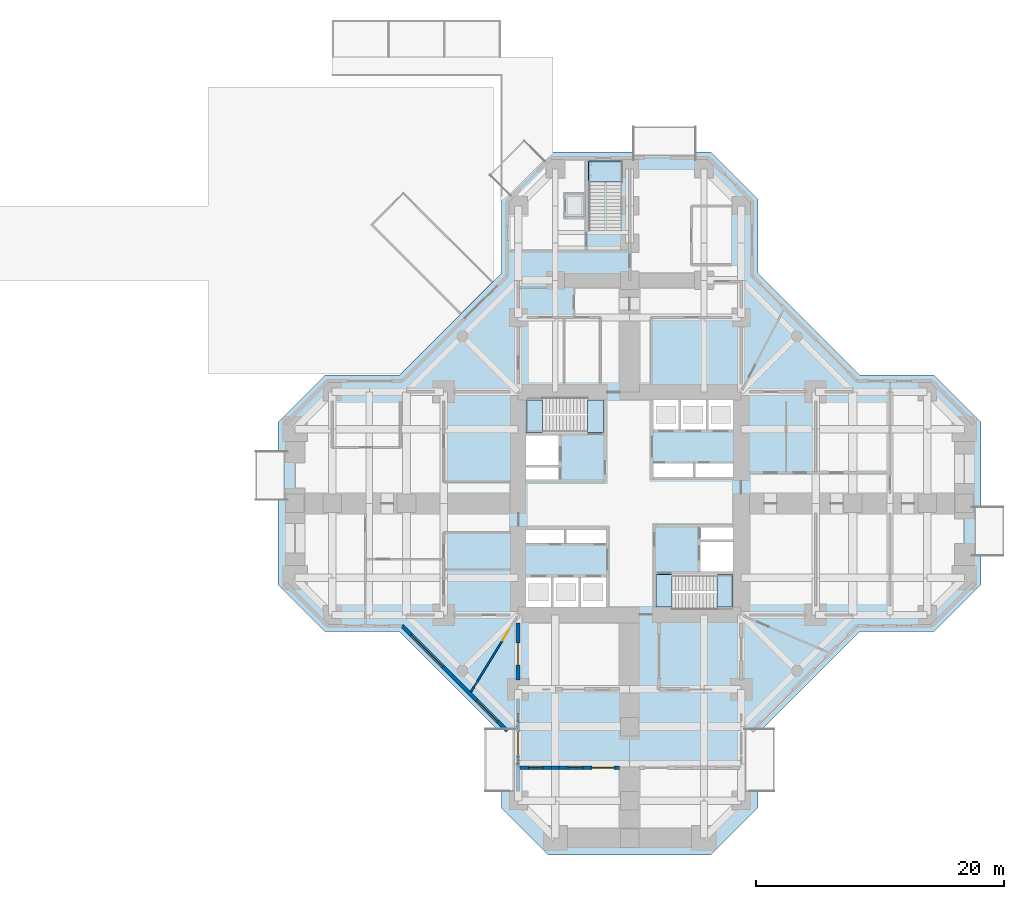
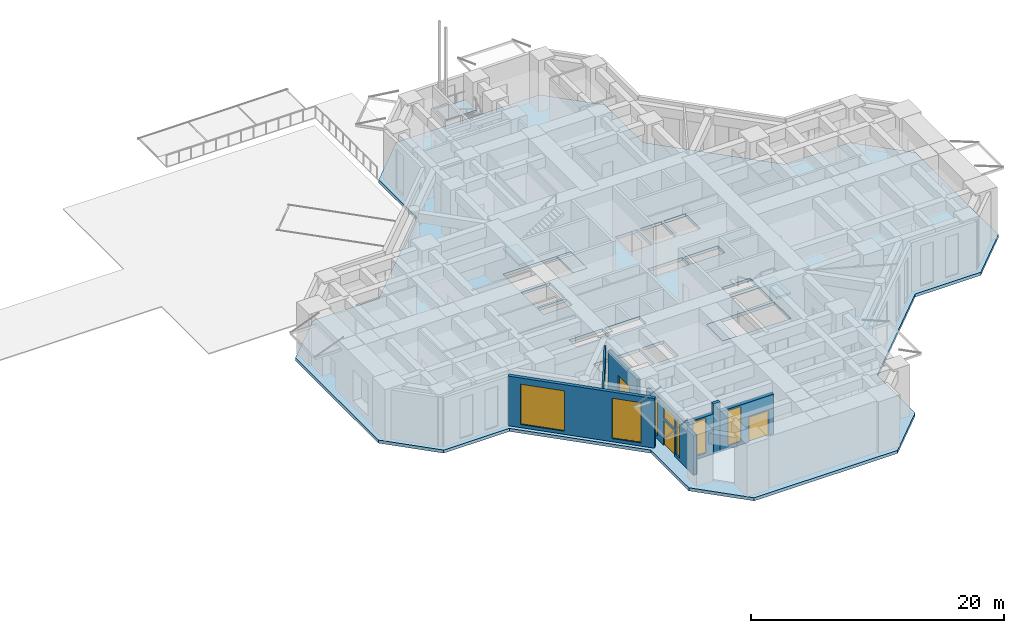
# One storey, part 4 of 14: 7 walls, 7 windows, 6 slabs, 4 doors, 11 openings, 3 elements without a shape of their own.
"""IFC4 building model written with IfcOpenShell, lengths in metres."""

from ifc_helpers import new_model, si_unit, direction, frame, frame_2d, origin, place, context, subcontext, project, spatial, polyline, rectangle, hollow_rectangle, outline, extrude, material, layer, layer_set, constituent, constituent_set, type_object, element, fill, aggregate, save


model = new_model("IFC4")

# Units and contexts
model_context = context("Model", 3, precision=1e-05, world=origin(), true_north=direction((0.0, 1.0)))
body_context = subcontext(model_context, "Body", "Model", "MODEL_VIEW")
ifc_project = project(units=[si_unit("LENGTHUNIT", "METRE"), si_unit("AREAUNIT", "SQUARE_METRE"), si_unit("VOLUMEUNIT", "CUBIC_METRE"), si_unit("PLANEANGLEUNIT", "RADIAN"), si_unit("MASSUNIT", "GRAM", prefix="KILO")], contexts=[model_context])

# Site, building, storey
site_placement = place(None, origin())
site = spatial("IfcSite", under=ifc_project, at=site_placement, CompositionType="ELEMENT")
building_placement = place(site_placement, origin())
building = spatial("IfcBuilding", under=site, at=building_placement, Name="Torre Cruceta", CompositionType="ELEMENT")
storey_placement = place(building_placement, origin())
storey = spatial("IfcBuildingStorey", under=building, at=storey_placement, Name="L00", CompositionType="ELEMENT", Elevation=0.0)

# Slab
ifc_material_1 = material(Name="Concrete G35 (fck 35 MPa)", Category="concrete")
ifc_layer_1 = layer(ifc_material_1, 0.300048828125)
ifc_layer_set_1 = layer_set([ifc_layer_1], Name="Concrete G35 (fck 35 MPa)")
slab_type_1 = type_object("IfcSlabType", Name="FLOOR SLAB 300", PredefinedType="FLOOR", material=ifc_layer_set_1)
slab_1_placement = place(storey_placement, frame((0.0, 0.0, -0.300048828125)))
element("IfcSlab", 1, at=slab_1_placement, inside=storey, type_object=slab_type_1, Name="Floor Slab L00", PredefinedType="FLOOR", context=body_context, shape_type="SweptSolid", body=[
    extrude(outline(polyline([(18.55908203125, -10.35009765625), (10.35009765625, -18.55908203125), (10.35009765625, -24.55908203125), (6.55908203125, -28.35009765625), (-6.55908203125, -28.35009765625), (-10.35009765625, -24.55908203125), (-10.35009765625, -18.55908203125), (-18.55908203125, -10.35009765625), (-24.55908203125, -10.35009765625), (-28.35009765625, -6.55908203125), (-28.35009765625, 6.55908203125), (-24.55908203125, 10.35009765625), (-18.55908203125, 10.35009765625), (-10.35009765625, 18.55908203125), (-10.35009765625, 24.55908203125), (-6.55908203125, 28.35009765625), (6.55908203125, 28.35009765625), (10.35009765625, 24.55908203125), (10.35009765625, 18.55908203125), (18.55908203125, 10.35009765625), (24.55908203125, 10.35009765625), (28.35009765625, 6.55908203125), (28.35009765625, -6.55908203125), (24.55908203125, -10.35009765625), (18.55908203125, -10.35009765625)]), holes=[polyline([(1.925048828125, 5.97509765625), (3.933349609375, 5.97509765625), (3.933349609375, 8.35009765625), (1.925048828125, 8.35009765625), (1.925048828125, 5.97509765625)]), polyline([(4.13330078125, 5.97509765625), (6.1416015625, 5.97509765625), (6.1416015625, 8.35009765625), (4.13330078125, 8.35009765625), (4.13330078125, 5.97509765625)]), polyline([(6.341552734375, 5.97509765625), (8.35009765625, 5.97509765625), (8.35009765625, 8.35009765625), (6.341552734375, 8.35009765625), (6.341552734375, 5.97509765625)]), polyline([(1.925048828125, 2.125), (5.125, 2.125), (5.125, 3.22509765625), (1.925048828125, 3.22509765625), (1.925048828125, 2.125)]), polyline([(5.27490234375, 2.125), (8.35009765625, 2.125), (8.35009765625, 3.22509765625), (5.27490234375, 3.22509765625), (5.27490234375, 2.125)]), polyline([(-8.35009765625, 3.10009765625), (-5.72509765625, 3.10009765625), (-5.72509765625, 5.47509765625), (-8.35009765625, 5.47509765625), (-8.35009765625, 3.10009765625)]), polyline([(-8.35009765625, 1.925048828125), (-5.72509765625, 1.925048828125), (-5.72509765625, 2.89990234375), (-8.35009765625, 2.89990234375), (-8.35009765625, 1.925048828125)]), polyline([(-3.933349609375, -8.35009765625), (-1.925048828125, -8.35009765625), (-1.925048828125, -5.97509765625), (-3.933349609375, -5.97509765625), (-3.933349609375, -8.35009765625)]), polyline([(-6.1416015625, -8.35009765625), (-4.13330078125, -8.35009765625), (-4.13330078125, -5.97509765625), (-6.1416015625, -5.97509765625), (-6.1416015625, -8.35009765625)]), polyline([(-8.35009765625, -8.35009765625), (-6.341552734375, -8.35009765625), (-6.341552734375, -5.97509765625), (-8.35009765625, -5.97509765625), (-8.35009765625, -8.35009765625)]), polyline([(-5.125, -3.22509765625), (-1.925048828125, -3.22509765625), (-1.925048828125, -2.125), (-5.125, -2.125), (-5.125, -3.22509765625)]), polyline([(-8.35009765625, -3.22509765625), (-5.27490234375, -3.22509765625), (-5.27490234375, -2.125), (-8.35009765625, -2.125), (-8.35009765625, -3.22509765625)]), polyline([(5.72509765625, -5.47509765625), (8.35009765625, -5.47509765625), (8.35009765625, -3.10009765625), (5.72509765625, -3.10009765625), (5.72509765625, -5.47509765625)]), polyline([(5.72509765625, -2.89990234375), (8.35009765625, -2.89990234375), (8.35009765625, -1.925048828125), (5.72509765625, -1.925048828125), (5.72509765625, -2.89990234375)]), polyline([(-8.35009765625, 5.72509765625), (-8.35009765625, 8.35009765625), (-3.39990234375, 8.35009765625), (-2.125, 8.35009765625), (-2.125, 5.72509765625), (-3.39990234375, 5.72509765625), (-8.35009765625, 5.72509765625)]), polyline([(2.125, -5.72509765625), (3.39990234375, -5.72509765625), (8.35009765625, -5.72509765625), (8.35009765625, -8.35009765625), (3.39990234375, -8.35009765625), (2.125, -8.35009765625), (2.125, -5.72509765625)])]), origin(), (0.0, 0.0, 1.0), 0.300048828125),
])

# Stair, slab
ifc_material_2 = material(Name="Concrete G30 (fck 30 MPa)", Category="concrete")
stair_type = type_object("IfcStairType", Name="STAIR HALF-TURN 1300", PredefinedType="HALF_TURN_STAIR", material=ifc_material_2)
stair_1_placement = place(storey_placement, origin())
stair_1 = element("IfcStair", 2, at=stair_1_placement, inside=storey, type_object=stair_type, Name="Stair ST1 L00", PredefinedType="HALF_TURN_STAIR")
ifc_material_3 = material(Name="Concrete G30 (fck 30 MPa)", Category="concrete")
ifc_layer_2 = layer(ifc_material_3, 0.199951171875)
ifc_layer_set_2 = layer_set([ifc_layer_2], Name="Concrete G30 (fck 30 MPa)")
slab_type_2 = type_object("IfcSlabType", Name="STAIR LANDING 200", PredefinedType="LANDING", material=ifc_layer_set_2)
slab_2_placement = place(storey_placement, frame((0.0, 0.0, 2.300048828125)))
slab_2 = element("IfcSlab", 3, at=slab_2_placement, type_object=slab_type_2, Name="ST1 landing 1", PredefinedType="LANDING", context=body_context, shape_type="SweptSolid", body=[
    extrude(outline(polyline([(-8.35009765625, 5.72509765625), (-7.0400390625, 5.72509765625), (-7.0400390625, 8.35009765625), (-8.35009765625, 8.35009765625), (-8.35009765625, 5.72509765625)])), origin(), (0.0, 0.0, 1.0), 0.199951171875),
])
aggregate(stair_1, [slab_2])

stair_2_placement = place(storey_placement, origin())
stair_2 = element("IfcStair", 4, at=stair_2_placement, inside=storey, type_object=stair_type, Name="Stair ST2 L00", PredefinedType="HALF_TURN_STAIR")
slab_3_placement = place(storey_placement, frame((0.0, 0.0, 2.300048828125)))
slab_3 = element("IfcSlab", 5, at=slab_3_placement, type_object=slab_type_2, Name="ST2 landing 1", PredefinedType="LANDING", context=body_context, shape_type="SweptSolid", body=[
    extrude(outline(polyline([(7.0400390625, -8.35009765625), (8.35009765625, -8.35009765625), (8.35009765625, -5.72509765625), (7.0400390625, -5.72509765625), (7.0400390625, -8.35009765625)])), origin(), (0.0, 0.0, 1.0), 0.199951171875),
])
aggregate(stair_2, [slab_3])

# Slabs
slab_4_placement = place(storey_placement, frame((0.0, 0.0, -0.199951171875)))
element("IfcSlab", 6, at=slab_4_placement, inside=storey, type_object=slab_type_2, Name="Stair ST1 floor landing L00", PredefinedType="LANDING", context=body_context, shape_type="SweptSolid", body=[
    extrude(outline(polyline([(-2.125, 8.35009765625), (-2.125, 5.72509765625), (-3.39990234375, 5.72509765625), (-3.39990234375, 8.35009765625), (-2.125, 8.35009765625)])), origin(), (0.0, 0.0, 1.0), 0.199951171875),
])
slab_5_placement = place(storey_placement, frame((0.0, 0.0, -0.199951171875)))
element("IfcSlab", 7, at=slab_5_placement, inside=storey, type_object=slab_type_2, Name="Stair ST2 floor landing L00", PredefinedType="LANDING", context=body_context, shape_type="SweptSolid", body=[
    extrude(outline(polyline([(2.125, -8.35009765625), (2.125, -5.72509765625), (3.39990234375, -5.72509765625), (3.39990234375, -8.35009765625), (2.125, -8.35009765625)])), origin(), (0.0, 0.0, 1.0), 0.199951171875),
])

# Stair, slab
stair_3_placement = place(storey_placement, origin())
stair_3 = element("IfcStair", 8, at=stair_3_placement, inside=storey, type_object=stair_type, Name="Stair ST3 L00", PredefinedType="HALF_TURN_STAIR")
slab_6_placement = place(storey_placement, frame((0.0, 0.0, 2.300048828125)))
slab_6 = element("IfcSlab", 9, at=slab_6_placement, type_object=slab_type_2, Name="ST3 landing 1", PredefinedType="LANDING", context=body_context, shape_type="SweptSolid", body=[
    extrude(outline(polyline([(-0.60009765625, 25.919921875), (-0.60009765625, 27.6201171875), (-3.300048828125, 27.6201171875), (-3.300048828125, 25.919921875), (-0.60009765625, 25.919921875)])), origin(), (0.0, 0.0, 1.0), 0.199951171875),
])
aggregate(stair_3, [slab_6])

# Wall, opening, window
ifc_material_4 = material(Name="Concrete G30 (fck 30 MPa)", Category="concrete")
ifc_layer_3 = layer(ifc_material_4, 0.300048828125)
ifc_layer_set_3 = layer_set([ifc_layer_3], Name="Concrete G30 (fck 30 MPa)")
wall_type_1 = type_object("IfcWallType", Name="CONCOURSE FRONT WALL 300", PredefinedType="SOLIDWALL", material=ifc_layer_set_3)
wall_1_placement = place(storey_placement, frame((-8.85009765625, -21.320068359375, 0.0), z_axis=(0.0, 0.0, 1.0), x_axis=(1.0, 0.0, 0.0)))
wall_1 = element("IfcWall", 10, at=wall_1_placement, inside=storey, type_object=wall_type_1, Name="EW3 L00-S-TWR", PredefinedType="SOLIDWALL", context=body_context, shape_type="SweptSolid", body=[
    extrude(rectangle(XDim=2.550048828125, YDim=0.300048828125, at=frame_2d((1.27490234375, 0.0))), origin(), (0.0, 0.0, 1.0), 3.85009765625),
])
opening_1_placement = place(wall_1_placement, frame((0.675048828125, 0.0, 0.300048828125)))
opening_1 = element("IfcOpeningElement", 11, at=opening_1_placement, cuts=wall_1, Name="Opening SF6", PredefinedType="OPENING", context=body_context, shape_type="SweptSolid", body=[
    extrude(rectangle(XDim=1.199951171875, YDim=3.39990234375, at=frame_2d((0.60009765625, 1.699951171875))), frame((0.0, 0.159912109375, 0.0), z_axis=(0.0, -1.0, 0.0), x_axis=(1.0, 0.0, 0.0)), (0.0, 0.0, 1.0), 0.320068359375),
])
ifc_material_5 = material(Name="Aluminium window frame", Category="aluminium")
ifc_constituent_1 = constituent(ifc_material_5, Name="Frame")
ifc_material_6 = material(Name="Laminated insulating glass unit, low-iron clear", Category="glass")
ifc_constituent_2 = constituent(ifc_material_6, Name="Glazing")
ifc_constituent_set_1 = constituent_set(constituents=[ifc_constituent_1, ifc_constituent_2], Name="Aluminium window")
window_type_1 = type_object("IfcWindowType", Name="SHOPFRONT WINDOW 1200X3400", PartitioningType="SINGLE_PANEL", PredefinedType="WINDOW", material=ifc_constituent_set_1)
window_1_placement = place(opening_1_placement, origin())
window_1 = element("IfcWindow", 12, at=window_1_placement, inside=storey, type_object=window_type_1, Name="SF6 L00 L00-S-TWR 1", OverallHeight=3.39990234375, OverallWidth=1.199951171875, PartitioningType="SINGLE_PANEL", PredefinedType="WINDOW", context=body_context, shape_type="SweptSolid", body=[
    extrude(hollow_rectangle(XDim=1.199951171875, YDim=3.39990234375, WallThickness=0.06005859375, at=frame_2d((0.60009765625, 1.699951171875))), frame((0.0, 0.030029296875, 0.0), z_axis=(0.0, -1.0, 0.0), x_axis=(1.0, 0.0, 0.0)), (0.0, 0.0, 1.0), 0.06005859375),
    extrude(rectangle(XDim=1.078857421875, YDim=3.27880859375, at=frame_2d((0.60009765625, 1.699951171875))), frame((0.0, 0.030029296875, 0.0), z_axis=(0.0, -1.0, 0.0), x_axis=(1.0, 0.0, 0.0)), (0.0, 0.0, 1.0), 0.06005859375),
])
fill(opening_1, window_1)

# Wall
wall_2_placement = place(storey_placement, frame((-6.300048828125, -21.320068359375, 0.0), z_axis=(0.0, 0.0, 1.0), x_axis=(1.0, 0.0, 0.0)))
element("IfcWall", 13, at=wall_2_placement, inside=storey, type_object=wall_type_1, Name="EW3 L00-S-TWR 2", PredefinedType="SOLIDWALL", context=body_context, shape_type="SweptSolid", body=[
    extrude(rectangle(XDim=0.60009765625, YDim=0.300048828125, at=frame_2d((0.300048828125, 0.0))), origin(), (0.0, 0.0, 1.0), 4.800048828125),
])

# Wall, openings, door, window
wall_3_placement = place(storey_placement, frame((-5.699951171875, -21.320068359375, 0.0), z_axis=(0.0, 0.0, 1.0), x_axis=(1.0, 0.0, 0.0)))
wall_3 = element("IfcWall", 14, at=wall_3_placement, inside=storey, type_object=wall_type_1, Name="EW3 L00-S-TWR 3", PredefinedType="SOLIDWALL", context=body_context, shape_type="SweptSolid", body=[
    extrude(rectangle(XDim=4.89990234375, YDim=0.300048828125, at=frame_2d((2.449951171875, 0.0))), origin(), (0.0, 0.0, 1.0), 3.85009765625),
])
opening_2_placement = place(wall_3_placement, frame((2.64990234375, 0.0, 0.0)))
opening_2 = element("IfcOpeningElement", 15, at=opening_2_placement, cuts=wall_3, Name="Opening D13", PredefinedType="OPENING", context=body_context, shape_type="SweptSolid", body=[
    extrude(rectangle(XDim=1.800048828125, YDim=2.39990234375, at=frame_2d((0.89990234375, 1.199951171875))), frame((0.0, 0.159912109375, 0.0), z_axis=(0.0, -1.0, 0.0), x_axis=(1.0, 0.0, 0.0)), (0.0, 0.0, 1.0), 0.320068359375),
])
opening_3_placement = place(wall_3_placement, frame((0.72509765625, 0.0, 0.300048828125)))
opening_3 = element("IfcOpeningElement", 16, at=opening_3_placement, cuts=wall_3, Name="Opening SF6", PredefinedType="OPENING", context=body_context, shape_type="SweptSolid", body=[
    extrude(rectangle(XDim=1.199951171875, YDim=3.39990234375, at=frame_2d((0.60009765625, 1.699951171875))), frame((0.0, 0.159912109375, 0.0), z_axis=(0.0, -1.0, 0.0), x_axis=(1.0, 0.0, 0.0)), (0.0, 0.0, 1.0), 0.320068359375),
])
ifc_material_7 = material(Name="Aluminium 6063-T6", Category="aluminium")
ifc_constituent_3 = constituent(ifc_material_7, Name="Frame")
ifc_material_8 = material(Name="Laminated safety glass", Category="glass")
ifc_constituent_4 = constituent(ifc_material_8, Name="Glazing")
ifc_constituent_set_2 = constituent_set(constituents=[ifc_constituent_3, ifc_constituent_4], Name="Aluminium glazed door")
door_type_1 = type_object("IfcDoorType", Name="CONCOURSE ENTRANCE DOOR 1800X2400", OperationType="DOUBLE_DOOR_DOUBLE_SWING", PredefinedType="DOOR", material=ifc_constituent_set_2)
door_1_placement = place(opening_2_placement, origin())
door_1 = element("IfcDoor", 17, at=door_1_placement, inside=storey, type_object=door_type_1, Name="D13 L00-S-TWR-D1", OperationType="DOUBLE_DOOR_DOUBLE_SWING", OverallHeight=2.39990234375, OverallWidth=1.800048828125, PredefinedType="DOOR", context=body_context, shape_type="SweptSolid", body=[
    extrude(hollow_rectangle(XDim=1.800048828125, YDim=2.39990234375, WallThickness=0.06005859375, at=frame_2d((0.89990234375, 1.199951171875))), frame((0.0, 0.02490234375, 0.0), z_axis=(0.0, -1.0, 0.0), x_axis=(1.0, 0.0, 0.0)), (0.0, 0.0, 1.0), 0.050048828125),
    extrude(rectangle(XDim=1.678955078125, YDim=2.27880859375, at=frame_2d((0.89990234375, 1.199951171875))), frame((0.0, 0.02490234375, 0.0), z_axis=(0.0, -1.0, 0.0), x_axis=(1.0, 0.0, 0.0)), (0.0, 0.0, 1.0), 0.050048828125),
])
fill(opening_2, door_1)
window_2_placement = place(opening_3_placement, origin())
window_2 = element("IfcWindow", 18, at=window_2_placement, inside=storey, type_object=window_type_1, Name="SF6 L00 L00-S-TWR-S3 1", OverallHeight=3.39990234375, OverallWidth=1.199951171875, PartitioningType="SINGLE_PANEL", PredefinedType="WINDOW", context=body_context, shape_type="SweptSolid", body=[
    extrude(hollow_rectangle(XDim=1.199951171875, YDim=3.39990234375, WallThickness=0.06005859375, at=frame_2d((0.60009765625, 1.699951171875))), frame((0.0, 0.030029296875, 0.0), z_axis=(0.0, -1.0, 0.0), x_axis=(1.0, 0.0, 0.0)), (0.0, 0.0, 1.0), 0.06005859375),
    extrude(rectangle(XDim=1.078857421875, YDim=3.27880859375, at=frame_2d((0.60009765625, 1.699951171875))), frame((0.0, 0.030029296875, 0.0), z_axis=(0.0, -1.0, 0.0), x_axis=(1.0, 0.0, 0.0)), (0.0, 0.0, 1.0), 0.06005859375),
])
fill(opening_3, window_2)

# Wall, opening, door
wall_4_placement = place(storey_placement, frame((-9.0, -14.25, 0.0), z_axis=(0.0, 0.0, 1.0), x_axis=(0.0, 1.0, 0.0)))
wall_4 = element("IfcWall", 19, at=wall_4_placement, inside=storey, type_object=wall_type_1, Name="EW3 L00-WING-W-B1", PredefinedType="SOLIDWALL", context=body_context, shape_type="SweptSolid", body=[
    extrude(rectangle(XDim=4.60009765625, YDim=0.300048828125, at=frame_2d((2.300048828125, 0.0))), origin(), (0.0, 0.0, 1.0), 3.800048828125),
])
opening_4_placement = place(wall_4_placement, frame((1.199951171875, 0.0, 0.0)))
opening_4 = element("IfcOpeningElement", 20, at=opening_4_placement, cuts=wall_4, Name="Opening D13", PredefinedType="OPENING", context=body_context, shape_type="SweptSolid", body=[
    extrude(rectangle(XDim=1.800048828125, YDim=2.39990234375, at=frame_2d((0.89990234375, 1.199951171875))), frame((0.0, 0.159912109375, 0.0), z_axis=(0.0, -1.0, 0.0), x_axis=(1.0, 0.0, 0.0)), (0.0, 0.0, 1.0), 0.320068359375),
])
door_2_placement = place(opening_4_placement, origin())
door_2 = element("IfcDoor", 21, at=door_2_placement, inside=storey, type_object=door_type_1, Name="D13 L00-WING-W-B1-D1", OperationType="DOUBLE_DOOR_DOUBLE_SWING", OverallHeight=2.39990234375, OverallWidth=1.800048828125, PredefinedType="DOOR", context=body_context, shape_type="SweptSolid", body=[
    extrude(hollow_rectangle(XDim=1.800048828125, YDim=2.39990234375, WallThickness=0.06005859375, at=frame_2d((0.89990234375, 1.199951171875))), frame((0.0, 0.02490234375, 0.0), z_axis=(0.0, -1.0, 0.0), x_axis=(1.0, 0.0, 0.0)), (0.0, 0.0, 1.0), 0.050048828125),
    extrude(rectangle(XDim=1.678955078125, YDim=2.27880859375, at=frame_2d((0.89990234375, 1.199951171875))), frame((0.0, 0.02490234375, 0.0), z_axis=(0.0, -1.0, 0.0), x_axis=(1.0, 0.0, 0.0)), (0.0, 0.0, 1.0), 0.050048828125),
])
fill(opening_4, door_2)

# Wall, openings, door, windows
wall_5_placement = place(storey_placement, frame((-9.0, -23.25, 0.0), z_axis=(0.0, 0.0, 1.0), x_axis=(0.0, 1.0, 0.0)))
wall_5 = element("IfcWall", 22, at=wall_5_placement, inside=storey, type_object=wall_type_1, Name="EW3 L00-WING-W-B2", PredefinedType="SOLIDWALL", context=body_context, shape_type="SweptSolid", body=[
    extrude(rectangle(XDim=7.5, YDim=0.300048828125, at=frame_2d((3.75, 0.0))), origin(), (0.0, 0.0, 1.0), 3.800048828125),
])
opening_5_placement = place(wall_5_placement, frame((3.0, 0.0, 0.0)))
opening_5 = element("IfcOpeningElement", 23, at=opening_5_placement, cuts=wall_5, Name="Opening D13", PredefinedType="OPENING", context=body_context, shape_type="SweptSolid", body=[
    extrude(rectangle(XDim=1.800048828125, YDim=2.39990234375, at=frame_2d((0.89990234375, 1.199951171875))), frame((0.0, 0.159912109375, 0.0), z_axis=(0.0, -1.0, 0.0), x_axis=(1.0, 0.0, 0.0)), (0.0, 0.0, 1.0), 0.320068359375),
])
opening_6_placement = place(wall_5_placement, frame((2.239990234375, 0.0, 0.300048828125)))
opening_6 = element("IfcOpeningElement", 24, at=opening_6_placement, cuts=wall_5, Name="Opening SF4", PredefinedType="OPENING", context=body_context, shape_type="SweptSolid", body=[
    extrude(rectangle(XDim=0.60009765625, YDim=3.39990234375, at=frame_2d((0.300048828125, 1.699951171875))), frame((0.0, 0.159912109375, 0.0), z_axis=(0.0, -1.0, 0.0), x_axis=(1.0, 0.0, 0.0)), (0.0, 0.0, 1.0), 0.320068359375),
])
opening_7_placement = place(wall_5_placement, frame((5.6875, 0.0, 0.300048828125)))
opening_7 = element("IfcOpeningElement", 25, at=opening_7_placement, cuts=wall_5, Name="Opening SF4", PredefinedType="OPENING", context=body_context, shape_type="SweptSolid", body=[
    extrude(rectangle(XDim=0.60009765625, YDim=3.39990234375, at=frame_2d((0.300048828125, 1.699951171875))), frame((0.0, 0.159912109375, 0.0), z_axis=(0.0, -1.0, 0.0), x_axis=(1.0, 0.0, 0.0)), (0.0, 0.0, 1.0), 0.320068359375),
])
opening_8_placement = place(wall_5_placement, frame((3.0, 0.0, 2.60009765625)))
opening_8 = element("IfcOpeningElement", 26, at=opening_8_placement, cuts=wall_5, Name="Opening SF5", PredefinedType="OPENING", context=body_context, shape_type="SweptSolid", body=[
    extrude(rectangle(XDim=1.800048828125, YDim=1.10009765625, at=frame_2d((0.89990234375, 0.550048828125))), frame((0.0, 0.159912109375, 0.0), z_axis=(0.0, -1.0, 0.0), x_axis=(1.0, 0.0, 0.0)), (0.0, 0.0, 1.0), 0.320068359375),
])
door_3_placement = place(opening_5_placement, origin())
door_3 = element("IfcDoor", 27, at=door_3_placement, inside=storey, type_object=door_type_1, Name="D13 L00-WING-W-B2-D1", OperationType="DOUBLE_DOOR_DOUBLE_SWING", OverallHeight=2.39990234375, OverallWidth=1.800048828125, PredefinedType="DOOR", context=body_context, shape_type="SweptSolid", body=[
    extrude(hollow_rectangle(XDim=1.800048828125, YDim=2.39990234375, WallThickness=0.06005859375, at=frame_2d((0.89990234375, 1.199951171875))), frame((0.0, 0.02490234375, 0.0), z_axis=(0.0, -1.0, 0.0), x_axis=(1.0, 0.0, 0.0)), (0.0, 0.0, 1.0), 0.050048828125),
    extrude(rectangle(XDim=1.678955078125, YDim=2.27880859375, at=frame_2d((0.89990234375, 1.199951171875))), frame((0.0, 0.02490234375, 0.0), z_axis=(0.0, -1.0, 0.0), x_axis=(1.0, 0.0, 0.0)), (0.0, 0.0, 1.0), 0.050048828125),
])
fill(opening_5, door_3)
ifc_material_9 = material(Name="Aluminium window frame", Category="aluminium")
ifc_constituent_5 = constituent(ifc_material_9, Name="Frame")
ifc_material_10 = material(Name="Laminated insulating glass unit, low-iron clear", Category="glass")
ifc_constituent_6 = constituent(ifc_material_10, Name="Glazing")
ifc_constituent_set_3 = constituent_set(constituents=[ifc_constituent_5, ifc_constituent_6], Name="Aluminium window")
window_type_2 = type_object("IfcWindowType", Name="SHOPFRONT SIDELIGHT 600X3400", PartitioningType="SINGLE_PANEL", PredefinedType="WINDOW", material=ifc_constituent_set_3)
window_3_placement = place(opening_6_placement, origin())
window_3 = element("IfcWindow", 28, at=window_3_placement, inside=storey, type_object=window_type_2, Name="SF4 L00 L00-WING-W-B2 1", OverallHeight=3.39990234375, OverallWidth=0.60009765625, PartitioningType="SINGLE_PANEL", PredefinedType="WINDOW", context=body_context, shape_type="SweptSolid", body=[
    extrude(hollow_rectangle(XDim=0.60009765625, YDim=3.39990234375, WallThickness=0.06005859375, at=frame_2d((0.300048828125, 1.699951171875))), frame((0.0, 0.030029296875, 0.0), z_axis=(0.0, -1.0, 0.0), x_axis=(1.0, 0.0, 0.0)), (0.0, 0.0, 1.0), 0.06005859375),
    extrude(rectangle(XDim=0.47900390625, YDim=3.27880859375, at=frame_2d((0.300048828125, 1.699951171875))), frame((0.0, 0.030029296875, 0.0), z_axis=(0.0, -1.0, 0.0), x_axis=(1.0, 0.0, 0.0)), (0.0, 0.0, 1.0), 0.06005859375),
])
fill(opening_6, window_3)
window_4_placement = place(opening_7_placement, origin())
window_4 = element("IfcWindow", 29, at=window_4_placement, inside=storey, type_object=window_type_2, Name="SF4 L00 L00-WING-W-B2 2", OverallHeight=3.39990234375, OverallWidth=0.60009765625, PartitioningType="SINGLE_PANEL", PredefinedType="WINDOW", context=body_context, shape_type="SweptSolid", body=[
    extrude(hollow_rectangle(XDim=0.60009765625, YDim=3.39990234375, WallThickness=0.06005859375, at=frame_2d((0.300048828125, 1.699951171875))), frame((0.0, 0.030029296875, 0.0), z_axis=(0.0, -1.0, 0.0), x_axis=(1.0, 0.0, 0.0)), (0.0, 0.0, 1.0), 0.06005859375),
    extrude(rectangle(XDim=0.47900390625, YDim=3.27880859375, at=frame_2d((0.300048828125, 1.699951171875))), frame((0.0, 0.030029296875, 0.0), z_axis=(0.0, -1.0, 0.0), x_axis=(1.0, 0.0, 0.0)), (0.0, 0.0, 1.0), 0.06005859375),
])
fill(opening_7, window_4)
ifc_material_11 = material(Name="Aluminium window frame", Category="aluminium")
ifc_constituent_7 = constituent(ifc_material_11, Name="Frame")
ifc_material_12 = material(Name="Laminated insulating glass unit, low-iron clear", Category="glass")
ifc_constituent_8 = constituent(ifc_material_12, Name="Glazing")
ifc_constituent_set_4 = constituent_set(constituents=[ifc_constituent_7, ifc_constituent_8], Name="Aluminium window")
window_type_3 = type_object("IfcWindowType", Name="SHOPFRONT TRANSOM LIGHT 1800X1100", PartitioningType="SINGLE_PANEL", PredefinedType="WINDOW", material=ifc_constituent_set_4)
window_5_placement = place(opening_8_placement, origin())
window_5 = element("IfcWindow", 30, at=window_5_placement, inside=storey, type_object=window_type_3, Name="SF5 L00 L00-WING-W-B2 3", OverallHeight=1.10009765625, OverallWidth=1.800048828125, PartitioningType="SINGLE_PANEL", PredefinedType="WINDOW", context=body_context, shape_type="SweptSolid", body=[
    extrude(hollow_rectangle(XDim=1.800048828125, YDim=1.10009765625, WallThickness=0.06005859375, at=frame_2d((0.89990234375, 0.550048828125))), frame((0.0, 0.030029296875, 0.0), z_axis=(0.0, -1.0, 0.0), x_axis=(1.0, 0.0, 0.0)), (0.0, 0.0, 1.0), 0.06005859375),
    extrude(rectangle(XDim=1.678955078125, YDim=0.97900390625, at=frame_2d((0.89990234375, 0.550048828125))), frame((0.0, 0.030029296875, 0.0), z_axis=(0.0, -1.0, 0.0), x_axis=(1.0, 0.0, 0.0)), (0.0, 0.0, 1.0), 0.06005859375),
])
fill(opening_8, window_5)

# Wall, openings, windows
ifc_material_13 = material(Name="Concrete G30 (fck 30 MPa)", Category="concrete")
ifc_layer_4 = layer(ifc_material_13, 0.300048828125)
ifc_layer_set_4 = layer_set([ifc_layer_4], Name="Concrete G30 (fck 30 MPa)")
wall_type_2 = type_object("IfcWallType", Name="EXPOSED CONCRETE FACADE WALL 300", PredefinedType="SOLIDWALL", material=ifc_layer_set_4)
wall_6_placement = place(storey_placement, frame((-18.3603515625, -9.8701171875, 0.0), z_axis=(0.0, 0.0, 1.0), x_axis=(0.707106781187, -0.707106781187, 0.0)))
wall_6 = element("IfcWall", 31, at=wall_6_placement, inside=storey, type_object=wall_type_2, Name="EW1 facade wall L00 W wing 17", PredefinedType="SOLIDWALL", context=body_context, shape_type="SweptSolid", body=[
    extrude(rectangle(XDim=12.007080078125, YDim=0.300048828125, at=frame_2d((6.00341796875, 0.0))), origin(), (0.0, 0.0, 1.0), 4.800048828125),
])
opening_9_placement = place(wall_6_placement, frame((1.03369140625, 0.0, 0.300048828125)))
opening_9 = element("IfcOpeningElement", 32, at=opening_9_placement, cuts=wall_6, Name="Opening SF1", PredefinedType="OPENING", context=body_context, shape_type="SweptSolid", body=[
    extrude(rectangle(XDim=3.60009765625, YDim=3.89990234375, at=frame_2d((1.800048828125, 1.949951171875))), frame((0.0, 0.159912109375, 0.0), z_axis=(0.0, -1.0, 0.0), x_axis=(1.0, 0.0, 0.0)), (0.0, 0.0, 1.0), 0.320068359375),
])
opening_10_placement = place(wall_6_placement, frame((8.5234375, 0.0, 0.300048828125)))
opening_10 = element("IfcOpeningElement", 33, at=opening_10_placement, cuts=wall_6, Name="Opening SF2", PredefinedType="OPENING", context=body_context, shape_type="SweptSolid", body=[
    extrude(rectangle(XDim=2.39990234375, YDim=3.89990234375, at=frame_2d((1.199951171875, 1.949951171875))), frame((0.0, 0.159912109375, 0.0), z_axis=(0.0, -1.0, 0.0), x_axis=(1.0, 0.0, 0.0)), (0.0, 0.0, 1.0), 0.320068359375),
])
ifc_material_14 = material(Name="Aluminium window frame", Category="aluminium")
ifc_constituent_9 = constituent(ifc_material_14, Name="Frame")
ifc_material_15 = material(Name="Laminated insulating glass unit, low-iron clear", Category="glass")
ifc_constituent_10 = constituent(ifc_material_15, Name="Glazing")
ifc_constituent_set_5 = constituent_set(constituents=[ifc_constituent_9, ifc_constituent_10], Name="Aluminium window")
window_type_4 = type_object("IfcWindowType", Name="SHOPFRONT WINDOW 2400X3900", PartitioningType="SINGLE_PANEL", PredefinedType="WINDOW", material=ifc_constituent_set_5)
window_6_placement = place(opening_10_placement, origin())
window_6 = element("IfcWindow", 34, at=window_6_placement, inside=storey, type_object=window_type_4, Name="SF2 L00 W 2", OverallHeight=3.89990234375, OverallWidth=2.39990234375, PartitioningType="SINGLE_PANEL", PredefinedType="WINDOW", context=body_context, shape_type="SweptSolid", body=[
    extrude(hollow_rectangle(XDim=2.39990234375, YDim=3.89990234375, WallThickness=0.06005859375, at=frame_2d((1.199951171875, 1.949951171875))), frame((0.0, 0.030029296875, 0.0), z_axis=(0.0, -1.0, 0.0), x_axis=(1.0, 0.0, 0.0)), (0.0, 0.0, 1.0), 0.06005859375),
    extrude(rectangle(XDim=2.27880859375, YDim=3.77880859375, at=frame_2d((1.199951171875, 1.949951171875))), frame((0.0, 0.030029296875, 0.0), z_axis=(0.0, -1.0, 0.0), x_axis=(1.0, 0.0, 0.0)), (0.0, 0.0, 1.0), 0.06005859375),
])
fill(opening_10, window_6)
ifc_material_16 = material(Name="Aluminium window frame", Category="aluminium")
ifc_constituent_11 = constituent(ifc_material_16, Name="Frame")
ifc_material_17 = material(Name="Laminated insulating glass unit, low-iron clear", Category="glass")
ifc_constituent_12 = constituent(ifc_material_17, Name="Glazing")
ifc_constituent_set_6 = constituent_set(constituents=[ifc_constituent_11, ifc_constituent_12], Name="Aluminium window")
window_type_5 = type_object("IfcWindowType", Name="SHOPFRONT WINDOW 3600X3900", PartitioningType="SINGLE_PANEL", PredefinedType="WINDOW", material=ifc_constituent_set_6)
window_7_placement = place(opening_9_placement, origin())
window_7 = element("IfcWindow", 35, at=window_7_placement, inside=storey, type_object=window_type_5, Name="SF1 L00 W 1", OverallHeight=3.89990234375, OverallWidth=3.60009765625, PartitioningType="SINGLE_PANEL", PredefinedType="WINDOW", context=body_context, shape_type="SweptSolid", body=[
    extrude(hollow_rectangle(XDim=3.60009765625, YDim=3.89990234375, WallThickness=0.06005859375, at=frame_2d((1.800048828125, 1.949951171875))), frame((0.0, 0.030029296875, 0.0), z_axis=(0.0, -1.0, 0.0), x_axis=(1.0, 0.0, 0.0)), (0.0, 0.0, 1.0), 0.06005859375),
    extrude(rectangle(XDim=3.47900390625, YDim=3.77880859375, at=frame_2d((1.800048828125, 1.949951171875))), frame((0.0, 0.030029296875, 0.0), z_axis=(0.0, -1.0, 0.0), x_axis=(1.0, 0.0, 0.0)), (0.0, 0.0, 1.0), 0.06005859375),
])
fill(opening_9, window_7)

# Wall, opening, door
ifc_material_18 = material(Name="Plasterboard on steel studs", Category="steel")
ifc_layer_5 = layer(ifc_material_18, 0.14990234375)
ifc_layer_set_5 = layer_set([ifc_layer_5], Name="Plasterboard on steel studs")
wall_type_3 = type_object("IfcWallType", Name="PARTITION 150", PredefinedType="PARTITIONING", material=ifc_layer_set_5)
wall_7_placement = place(storey_placement, frame((-9.722900390625, -10.1796875, 0.0), z_axis=(0.0, 0.0, 1.0), x_axis=(-0.522582491182, -0.852588728468, 0.0)))
wall_7 = element("IfcWall", 36, at=wall_7_placement, inside=storey, type_object=wall_type_3, Name="PT1 L00-WING-W-X 2", PredefinedType="PARTITIONING", context=body_context, shape_type="SweptSolid", body=[
    extrude(rectangle(XDim=5.8837890625, YDim=0.14990234375, at=frame_2d((2.94189453125, 0.0))), origin(), (0.0, 0.0, 1.0), 4.800048828125),
])
opening_11_placement = place(wall_7_placement, frame((0.016357421875, 0.0, 0.0)))
opening_11 = element("IfcOpeningElement", 37, at=opening_11_placement, cuts=wall_7, Name="Opening D14", PredefinedType="OPENING", context=body_context, shape_type="SweptSolid", body=[
    extrude(rectangle(XDim=1.0, YDim=2.199951171875, at=frame_2d((0.5, 1.10009765625))), frame((0.0, 0.0849609375, 0.0), z_axis=(0.0, -1.0, 0.0), x_axis=(1.0, 0.0, 0.0)), (0.0, 0.0, 1.0), 0.169921875),
])
ifc_material_19 = material(Name="Steel DX51D", Category="steel")
ifc_constituent_13 = constituent(ifc_material_19, Name="Leaf and frame")
ifc_material_20 = material(Name="Polyester powder coating", Category="paint")
ifc_constituent_14 = constituent(ifc_material_20, Name="Finish")
ifc_material_21 = material(Name="Fire-resisting glass", Category="glass")
ifc_constituent_15 = constituent(ifc_material_21, Name="Vision panel")
ifc_constituent_set_7 = constituent_set(constituents=[ifc_constituent_13, ifc_constituent_14, ifc_constituent_15], Name="Steel fire door with vision panel")
door_type_2 = type_object("IfcDoorType", Name="FIRE DOOR VISION PANEL 1000X2200", OperationType="SINGLE_SWING_RIGHT", PredefinedType="DOOR", material=ifc_constituent_set_7)
door_4_placement = place(opening_11_placement, origin())
door_4 = element("IfcDoor", 38, at=door_4_placement, inside=storey, type_object=door_type_2, Name="D14 L00-WING-W-X-D1", OperationType="SINGLE_SWING_LEFT", OverallHeight=2.199951171875, OverallWidth=1.0, PredefinedType="DOOR", context=body_context, shape_type="SweptSolid", body=[
    extrude(rectangle(XDim=1.0, YDim=2.199951171875, at=frame_2d((0.5, 1.10009765625))), frame((0.0, 0.02490234375, 0.0), z_axis=(0.0, -1.0, 0.0), x_axis=(1.0, 0.0, 0.0)), (0.0, 0.0, 1.0), 0.050048828125),
])
fill(opening_11, door_4)

save(model, "model.ifc")
